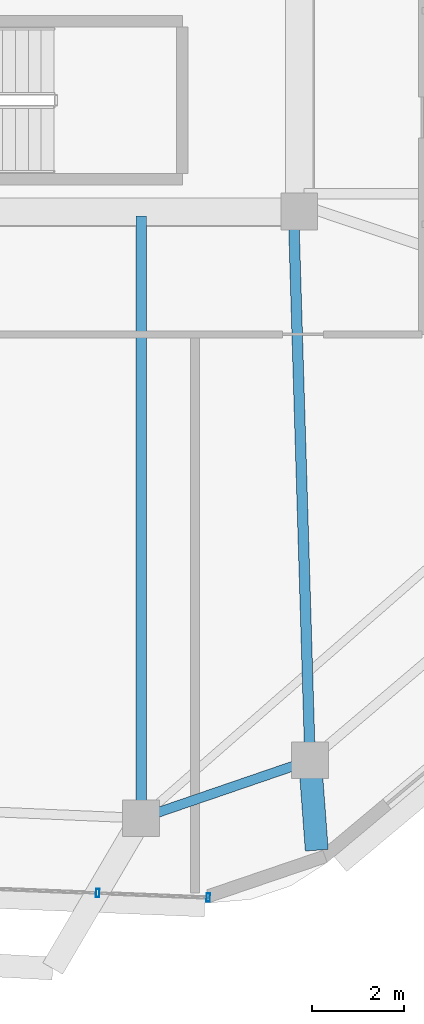
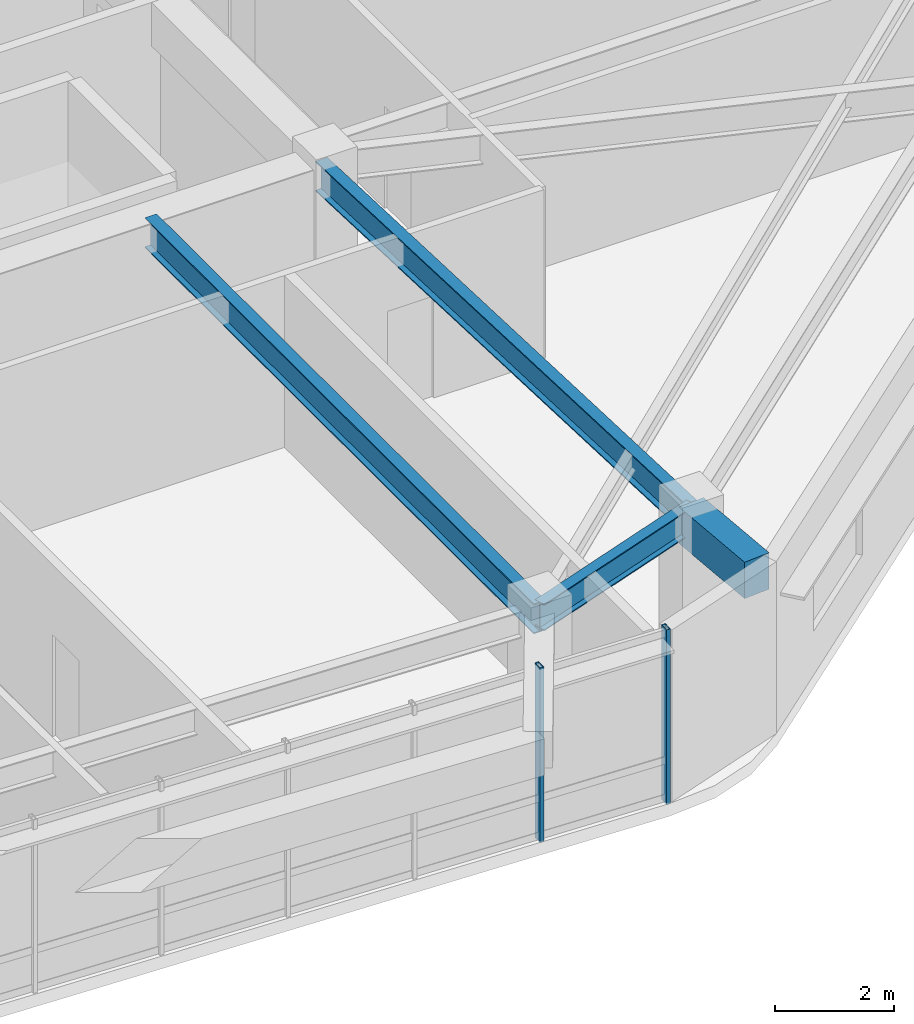
# One storey, part 5 of 13: 4 beams, 2 members, 1 element without a shape of its own.
"""IFC4 building model written with IfcOpenShell, lengths in metres."""

from ifc_helpers import new_model, si_unit, direction, frame, origin, origin_2d, place, context, subcontext, project, spatial, rectangle, hollow_rectangle, i_section, extrude, material, material_profile, profile_set, type_object, element, aggregate, save


model = new_model("IFC4")

# Units and contexts
model_context = context("Model", 3, precision=1e-05, world=origin(), true_north=direction((0.0, 1.0)))
body_context = subcontext(model_context, "Body", "Model", "MODEL_VIEW")
ifc_project = project(units=[si_unit("LENGTHUNIT", "METRE"), si_unit("AREAUNIT", "SQUARE_METRE"), si_unit("VOLUMEUNIT", "CUBIC_METRE"), si_unit("PLANEANGLEUNIT", "RADIAN"), si_unit("MASSUNIT", "GRAM", prefix="KILO")], contexts=[model_context])

# Site, building, storey
site_placement = place(None, origin())
site = spatial("IfcSite", under=ifc_project, at=site_placement, CompositionType="ELEMENT")
building_placement = place(site_placement, origin())
building = spatial("IfcBuilding", under=site, at=building_placement, Name="Zulverin Broadcast Headquarters", CompositionType="ELEMENT")
storey_placement = place(building_placement, frame((0.0, 0.0, 301.0)))
storey = spatial("IfcBuildingStorey", under=building, at=storey_placement, Name="L77", CompositionType="ELEMENT", Elevation=301.0)

# Beams
ifc_material_1 = material(Name="Concrete C40/50", Category="concrete")
ifc_material_profile_1 = material_profile(ifc_material_1, rectangle(XDim=0.5, YDim=0.75, at=origin_2d()), Name="Concrete C40/50", Category="concrete")
ifc_profile_set_1 = profile_set([ifc_material_profile_1], Name="Concrete C40/50")
beam_type_1 = type_object("IfcBeamType", Name="BM-RC-500x750", PredefinedType="BEAM", material=ifc_profile_set_1)
beam_1_placement = place(storey_placement, frame((48.5078125, 5.3701171875, 3.1650390625), z_axis=(0.074434680239, -0.997225891349, 0.0), x_axis=(0.997225891349, 0.074434680239, 0.0)))
element("IfcBeam", 1, at=beam_1_placement, inside=storey, type_object=beam_type_1, Name="L78 Plate Overhang Back-Spanned Beam OVR-03", PredefinedType="BEAM", context=body_context, shape_type="SweptSolid", body=[
    extrude(rectangle(XDim=0.5, YDim=0.75, at=origin_2d()), origin(), (0.0, 0.0, 1.0), 1.964599609375),
])
ifc_material_2 = material(Name="Structural steel S355JR", Category="steel")
ifc_material_profile_2 = material_profile(ifc_material_2, i_section(OverallWidth=0.2119140625, OverallDepth=0.54443359375, WebThickness=0.0126953125, FlangeThickness=0.021240234375, at=origin_2d()), Name="Structural steel S355JR", Category="steel")
ifc_profile_set_2 = profile_set([ifc_material_profile_2], Name="Structural steel S355JR")
beam_type_2 = type_object("IfcBeamType", Name="BM-UB-533", PredefinedType="SPANDREL", material=ifc_profile_set_2)
beam_2_placement = place(storey_placement, frame((44.826904296875, 4.1083984375, 3.267822265625), z_axis=(0.945970142065, 0.324253743728, 0.0), x_axis=(-0.324253743728, 0.945970142065, 0.0)))
element("IfcBeam", 2, at=beam_2_placement, inside=storey, type_object=beam_type_2, Name="L77 Perimeter Spandrel Beam SP-02", PredefinedType="SPANDREL", context=body_context, shape_type="SweptSolid", body=[
    extrude(i_section(OverallWidth=0.2119140625, OverallDepth=0.54443359375, WebThickness=0.0126953125, FlangeThickness=0.021240234375, at=origin_2d()), origin(), (0.0, 0.0, 1.0), 3.89111328125),
])
ifc_material_profile_3 = material_profile(ifc_material_2, i_section(OverallWidth=0.230224609375, OverallDepth=0.6171875, WebThickness=0.01318359375, FlangeThickness=0.022216796875, at=origin_2d()), Name="Structural steel S355JR", Category="steel")
ifc_profile_set_3 = profile_set([ifc_material_profile_3], Name="Structural steel S355JR")
beam_type_3 = type_object("IfcBeamType", Name="BM-UB-610", PredefinedType="BEAM", material=ifc_profile_set_3)
beam_3_placement = place(storey_placement, frame((44.826904296875, 17.22509765625, 3.2314453125), z_axis=(0.0, -1.0, 0.0), x_axis=(1.0, 0.0, 0.0)))
element("IfcBeam", 3, at=beam_3_placement, inside=storey, type_object=beam_type_3, Name="L77 Radial Primary Floor Beam RB-02", PredefinedType="BEAM", context=body_context, shape_type="SweptSolid", body=[
    extrude(i_section(OverallWidth=0.230224609375, OverallDepth=0.6171875, WebThickness=0.01318359375, FlangeThickness=0.022216796875, at=origin_2d()), origin(), (0.0, 0.0, 1.0), 13.11669921875),
])
beam_4_placement = place(storey_placement, frame((48.14990234375, 17.22509765625, 3.2314453125), z_axis=(0.030176950096, -0.999544572134, 0.0), x_axis=(0.999544572134, 0.030176950096, 0.0)))
element("IfcBeam", 4, at=beam_4_placement, inside=storey, type_object=beam_type_3, Name="L77 Radial Primary Floor Beam RB-03", PredefinedType="BEAM", context=body_context, shape_type="SweptSolid", body=[
    extrude(i_section(OverallWidth=0.230224609375, OverallDepth=0.6171875, WebThickness=0.01318359375, FlangeThickness=0.022216796875, at=origin_2d()), origin(), (0.0, 0.0, 1.0), 11.8603515625),
])

# Curtain wall, members
ifc_material_3 = material(Name="High-zone solar-control unitised curtain wall", Category="aluminium")
curtain_wall_type = type_object("IfcCurtainWallType", Name="CW-TWR-UPP", PredefinedType="USERDEFINED", material=ifc_material_3)
curtain_wall_placement = place(storey_placement, origin())
curtain_wall = element("IfcCurtainWall", 5, at=curtain_wall_placement, inside=storey, type_object=curtain_wall_type, Name="L77 Unitised Curtain Wall CW-L77-E1", ObjectType="UNITISED CURTAIN WALL", PredefinedType="USERDEFINED")
ifc_material_4 = material(Name="Anodized pale-metal aluminium alloy 6063-T6", Category="aluminium")
ifc_material_profile_4 = material_profile(ifc_material_4, hollow_rectangle(XDim=0.074951171875, YDim=0.179931640625, WallThickness=0.0048828125, at=origin_2d()), Name="Anodized pale-metal aluminium alloy 6063-T6", Category="aluminium")
ifc_profile_set_4 = profile_set([ifc_material_profile_4], Name="Anodized pale-metal aluminium alloy 6063-T6")
member_type = type_object("IfcMemberType", Name="CW-MUL-180", PredefinedType="MULLION", material=ifc_profile_set_4)
member_1_placement = place(storey_placement, frame((43.880615234375, 2.479248046875, -0.030029296875), z_axis=(0.0, 0.0, 1.0), x_axis=(0.99915627139, -0.041070005388, 0.0)))
member_1 = element("IfcMember", 6, at=member_1_placement, type_object=member_type, Name="CW-L77-E1 Mullion 06", PredefinedType="MULLION", context=body_context, shape_type="SweptSolid", body=[
    extrude(hollow_rectangle(XDim=0.074951171875, YDim=0.179931640625, WallThickness=0.0048828125, at=origin_2d()), origin(), (0.0, 0.0, 1.0), 3.60009765625),
])
member_2_placement = place(storey_placement, frame((46.289306640625, 2.380126953125, -0.030029296875), z_axis=(0.0, 0.0, 1.0), x_axis=(0.99915627139, -0.041070005388, 0.0)))
member_2 = element("IfcMember", 7, at=member_2_placement, type_object=member_type, Name="CW-L77-E1 Mullion 07", PredefinedType="MULLION", context=body_context, shape_type="SweptSolid", body=[
    extrude(hollow_rectangle(XDim=0.074951171875, YDim=0.179931640625, WallThickness=0.0048828125, at=origin_2d()), origin(), (0.0, 0.0, 1.0), 3.60009765625),
])
aggregate(curtain_wall, [member_1, member_2])

save(model, "model.ifc")
